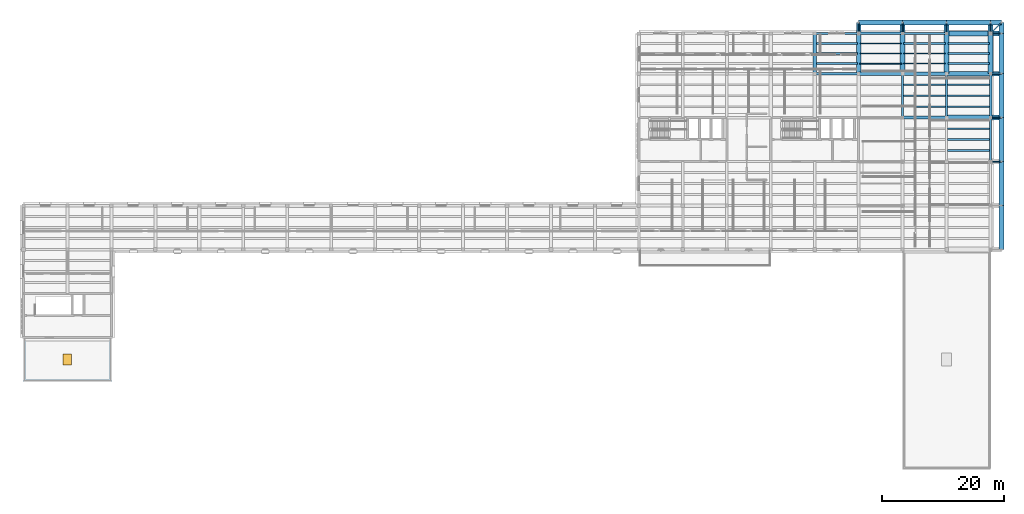
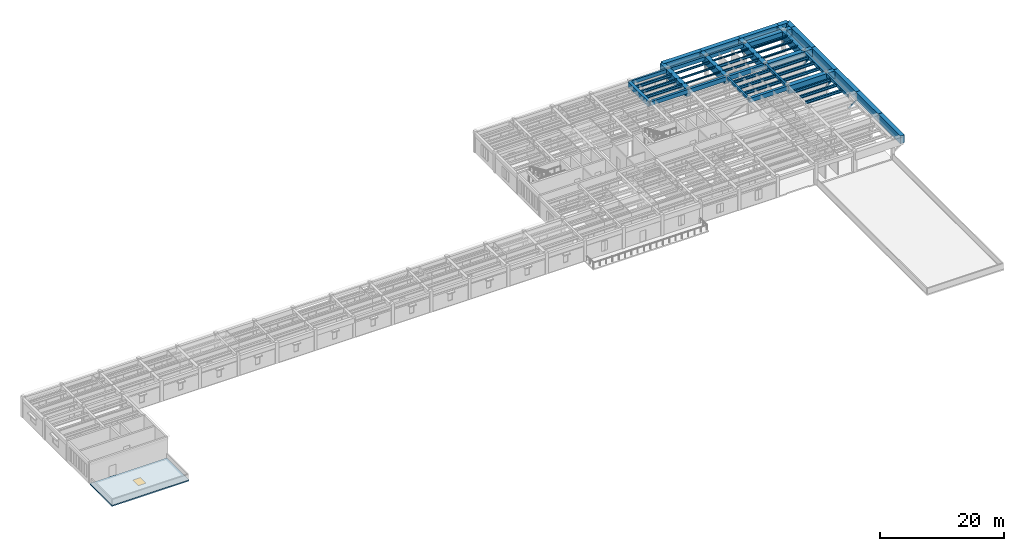
# One storey, part 4 of 22: 50 beams, 9 members, 1 slab, 1 window, 1 opening.
"""IFC4 building model written with IfcOpenShell, lengths in metres."""

from ifc_helpers import new_model, si_unit, direction, frame, origin, origin_2d, place, context, subcontext, project, spatial, polyline, rectangle, hollow_rectangle, i_section, outline, extrude, material, layer, layer_set, material_profile, profile_set, type_object, element, fill, save


model = new_model("IFC4")

# Units and contexts
model_context = context("Model", 3, precision=1e-05, world=origin(), true_north=direction((0.0, 1.0)))
body_context = subcontext(model_context, "Body", "Model", "MODEL_VIEW")
ifc_project = project(units=[si_unit("LENGTHUNIT", "METRE"), si_unit("AREAUNIT", "SQUARE_METRE"), si_unit("VOLUMEUNIT", "CUBIC_METRE"), si_unit("PLANEANGLEUNIT", "RADIAN"), si_unit("MASSUNIT", "GRAM", prefix="KILO")], contexts=[model_context])

# Site, building, storey
site_placement = place(None, origin())
site = spatial("IfcSite", under=ifc_project, at=site_placement, CompositionType="ELEMENT")
building_placement = place(site_placement, origin())
building = spatial("IfcBuilding", under=site, at=building_placement, Name="Mithqara Police Headquarters", CompositionType="ELEMENT")
storey_placement = place(building_placement, frame((0.0, 0.0, 22.199951171875)))
storey = spatial("IfcBuildingStorey", under=building, at=storey_placement, Name="L05", CompositionType="ELEMENT", Elevation=22.199951171875)

# Beams
ifc_material_1 = material(Name="Steel S355JR", Category="steel")
ifc_material_profile_1 = material_profile(ifc_material_1, i_section(OverallWidth=0.300048828125, OverallDepth=0.300048828125, WebThickness=0.010986328125, FlangeThickness=0.01904296875, FilletRadius=0.027099609375, at=origin_2d()), Name="HEB 300")
ifc_profile_set_1 = profile_set([ifc_material_profile_1], Name="Steel S355JR")
beam_type_1 = type_object("IfcBeamType", Name="BEAM HEB300", PredefinedType="BEAM", material=ifc_profile_set_1)
beam_1_placement = place(storey_placement, frame((159.199951171875, 112.35009765625, 3.77001953125), z_axis=(1.0, 0.0, 0.0), x_axis=(0.0, 1.0, 0.0)))
element("IfcBeam", 1, at=beam_1_placement, inside=storey, type_object=beam_type_1, Name="L05 Composite Steel Joist 23-24/R.3", PredefinedType="BEAM", context=body_context, shape_type="SweptSolid", body=[
    extrude(i_section(OverallWidth=0.300048828125, OverallDepth=0.300048828125, WebThickness=0.010986328125, FlangeThickness=0.01904296875, FilletRadius=0.027099609375, at=origin_2d()), origin(), (0.0, 0.0, 1.0), 6.800048828125),
])
ifc_material_profile_2 = material_profile(ifc_material_1, i_section(OverallWidth=0.300048828125, OverallDepth=0.550048828125, WebThickness=0.014892578125, FlangeThickness=0.029052734375, FilletRadius=0.027099609375, at=origin_2d()), Name="HEB 550")
ifc_profile_set_2 = profile_set([ifc_material_profile_2], Name="Steel S355JR")
beam_type_2 = type_object("IfcBeamType", Name="BEAM HEB550", PredefinedType="BEAM", material=ifc_profile_set_2)
for number, where, z_axis, x_axis, name in (
    (2, (137.675048828125, 109.050048828125, 3.64501953125), (1.0, 0.0, 0.0), (0.0, 1.0, 0.0), "L05 Composite Steel Joist 20-21/R.1"),
    (3, (137.675048828125, 110.699951171875, 3.64501953125), (1.0, 0.0, 0.0), (0.0, 1.0, 0.0), "L05 Composite Steel Joist 20-21/R.2"),
    (4, (137.675048828125, 112.35009765625, 3.64501953125), (1.0, 0.0, 0.0), (0.0, 1.0, 0.0), "L05 Composite Steel Joist 20-21/R.3"),
):
    element("IfcBeam", number, at=place(storey_placement, frame(where, z_axis=z_axis, x_axis=x_axis)), inside=storey, type_object=beam_type_2, Name=name, PredefinedType="BEAM", context=body_context, shape_type="SweptSolid", body=[
        extrude(i_section(OverallWidth=0.300048828125, OverallDepth=0.550048828125, WebThickness=0.014892578125, FlangeThickness=0.029052734375, FilletRadius=0.027099609375, at=origin_2d()), origin(), (0.0, 0.0, 1.0), 6.75),
    ])
for number, where, z_axis, x_axis, name in (
    (5, (151.97509765625, 102.0, 3.64501953125), (1.0, 0.0, 0.0), (0.0, 1.0, 0.0), "L05 Composite Steel Joist 22-23/Q.1"),
    (6, (151.97509765625, 103.800048828125, 3.64501953125), (1.0, 0.0, 0.0), (0.0, 1.0, 0.0), "L05 Composite Steel Joist 22-23/Q.2"),
    (7, (151.97509765625, 105.60009765625, 3.64501953125), (1.0, 0.0, 0.0), (0.0, 1.0, 0.0), "L05 Composite Steel Joist 22-23/Q.3"),
    (8, (159.175048828125, 94.800048828125, 3.64501953125), (1.0, 0.0, 0.0), (0.0, 1.0, 0.0), "L05 Composite Steel Joist 23-24/P.1"),
    (9, (159.175048828125, 96.60009765625, 3.64501953125), (1.0, 0.0, 0.0), (0.0, 1.0, 0.0), "L05 Composite Steel Joist 23-24/P.2"),
    (10, (159.175048828125, 98.39990234375, 3.64501953125), (1.0, 0.0, 0.0), (0.0, 1.0, 0.0), "L05 Composite Steel Joist 23-24/P.3"),
):
    element("IfcBeam", number, at=place(storey_placement, frame(where, z_axis=z_axis, x_axis=x_axis)), inside=storey, type_object=beam_type_2, Name=name, PredefinedType="BEAM", context=body_context, shape_type="SweptSolid", body=[
        extrude(i_section(OverallWidth=0.300048828125, OverallDepth=0.550048828125, WebThickness=0.014892578125, FlangeThickness=0.029052734375, FilletRadius=0.027099609375, at=origin_2d()), origin(), (0.0, 0.0, 1.0), 6.849853515625),
    ])
for number, where, z_axis, x_axis, name in (
    (11, (159.175048828125, 102.0, 3.64501953125), (1.0, 0.0, 0.0), (0.0, 1.0, 0.0), "L05 Composite Steel Joist 23-24/Q.1"),
    (12, (159.175048828125, 103.800048828125, 3.64501953125), (1.0, 0.0, 0.0), (0.0, 1.0, 0.0), "L05 Composite Steel Joist 23-24/Q.2"),
    (13, (159.175048828125, 105.60009765625, 3.64501953125), (1.0, 0.0, 0.0), (0.0, 1.0, 0.0), "L05 Composite Steel Joist 23-24/Q.3"),
):
    element("IfcBeam", number, at=place(storey_placement, frame(where, z_axis=z_axis, x_axis=x_axis)), inside=storey, type_object=beam_type_2, Name=name, PredefinedType="BEAM", context=body_context, shape_type="SweptSolid", body=[
        extrude(i_section(OverallWidth=0.300048828125, OverallDepth=0.550048828125, WebThickness=0.014892578125, FlangeThickness=0.029052734375, FilletRadius=0.027099609375, at=origin_2d()), origin(), (0.0, 0.0, 1.0), 6.824951171875),
    ])
ifc_material_2 = material(Name="Concrete C40/50", Category="concrete")
ifc_material_profile_3 = material_profile(ifc_material_2, rectangle(XDim=0.35009765625, YDim=0.550048828125, at=origin_2d()), Name="RC 350x550")
ifc_profile_set_3 = profile_set([ifc_material_profile_3], Name="Concrete C40/50")
beam_type_3 = type_object("IfcBeamType", Name="BEAM RC350X550", PredefinedType="BEAM", material=ifc_profile_set_3)
beam_2_placement = place(storey_placement, frame((151.800048828125, 100.199951171875, 3.64501953125), z_axis=(0.0, 1.0, 0.0), x_axis=(-1.0, 0.0, 0.0)))
element("IfcBeam", 14, at=beam_2_placement, inside=storey, type_object=beam_type_3, Name="L05 Girder 22/Q-R", PredefinedType="BEAM", context=body_context, shape_type="SweptSolid", body=[
    extrude(rectangle(XDim=0.35009765625, YDim=0.550048828125, at=origin_2d()), origin(), (0.0, 0.0, 1.0), 7.199951171875),
])
ifc_material_profile_4 = material_profile(ifc_material_2, rectangle(XDim=0.35009765625, YDim=0.60009765625, at=origin_2d()), Name="RC 350x600")
ifc_profile_set_4 = profile_set([ifc_material_profile_4], Name="Concrete C40/50")
beam_type_4 = type_object("IfcBeamType", Name="BEAM RC350X600", PredefinedType="BEAM", material=ifc_profile_set_4)
for number, where, z_axis, x_axis, name in (
    (15, (159.0, 100.199951171875, 3.6201171875), (0.0, 1.0, 0.0), (-1.0, 0.0, 0.0), "L05 Girder 23/Q-R"),
    (16, (166.199951171875, 93.0, 3.6201171875), (0.0, 1.0, 0.0), (-1.0, 0.0, 0.0), "L05 Girder 24/P-Q"),
):
    element("IfcBeam", number, at=place(storey_placement, frame(where, z_axis=z_axis, x_axis=x_axis)), inside=storey, type_object=beam_type_4, Name=name, PredefinedType="BEAM", context=body_context, shape_type="SweptSolid", body=[
        extrude(rectangle(XDim=0.35009765625, YDim=0.60009765625, at=origin_2d()), origin(), (0.0, 0.0, 1.0), 7.199951171875),
    ])
ifc_material_profile_5 = material_profile(ifc_material_2, rectangle(XDim=0.39990234375, YDim=0.64990234375, at=origin_2d()), Name="RC 400x650")
ifc_profile_set_5 = profile_set([ifc_material_profile_5], Name="Concrete C40/50")
beam_type_5 = type_object("IfcBeamType", Name="BEAM RC400X650", PredefinedType="BEAM", material=ifc_profile_set_5)
beam_3_placement = place(storey_placement, frame((166.199951171875, 100.199951171875, 3.594970703125), z_axis=(0.0, 1.0, 0.0), x_axis=(-1.0, 0.0, 0.0)))
element("IfcBeam", 17, at=beam_3_placement, inside=storey, type_object=beam_type_5, Name="L05 Girder 24/Q-R", PredefinedType="BEAM", context=body_context, shape_type="SweptSolid", body=[
    extrude(rectangle(XDim=0.39990234375, YDim=0.64990234375, at=origin_2d()), origin(), (0.0, 0.0, 1.0), 7.199951171875),
])
ifc_material_profile_6 = material_profile(ifc_material_2, rectangle(XDim=0.449951171875, YDim=0.800048828125, at=origin_2d()), Name="RC 450x800")
ifc_profile_set_6 = profile_set([ifc_material_profile_6], Name="Concrete C40/50")
beam_type_6 = type_object("IfcBeamType", Name="BEAM RC450X800", PredefinedType="BEAM", material=ifc_profile_set_6)
beam_4_placement = place(storey_placement, frame((137.39990234375, 107.39990234375, 3.52001953125), z_axis=(1.0, 0.0, 0.0), x_axis=(0.0, 1.0, 0.0)))
element("IfcBeam", 18, at=beam_4_placement, inside=storey, type_object=beam_type_6, Name="L05 Girder 20-21/R", PredefinedType="BEAM", context=body_context, shape_type="SweptSolid", body=[
    extrude(rectangle(XDim=0.449951171875, YDim=0.800048828125, at=origin_2d()), origin(), (0.0, 0.0, 1.0), 7.2001953125),
])
ifc_material_profile_7 = material_profile(ifc_material_2, rectangle(XDim=0.5, YDim=0.85009765625, at=origin_2d()), Name="RC 500x850")
ifc_profile_set_7 = profile_set([ifc_material_profile_7], Name="Concrete C40/50")
beam_type_7 = type_object("IfcBeamType", Name="BEAM RC500X850", PredefinedType="BEAM", material=ifc_profile_set_7)
for number, where, z_axis, x_axis, name in (
    (19, (144.60009765625, 107.39990234375, 3.4951171875), (1.0, 0.0, 0.0), (0.0, 1.0, 0.0), "L05 Girder 21-22/R"),
    (20, (151.800048828125, 100.199951171875, 3.4951171875), (1.0, 0.0, 0.0), (0.0, 1.0, 0.0), "L05 Girder 22-23/Q"),
):
    element("IfcBeam", number, at=place(storey_placement, frame(where, z_axis=z_axis, x_axis=x_axis)), inside=storey, type_object=beam_type_7, Name=name, PredefinedType="BEAM", context=body_context, shape_type="SweptSolid", body=[
        extrude(rectangle(XDim=0.5, YDim=0.85009765625, at=origin_2d()), origin(), (0.0, 0.0, 1.0), 7.199951171875),
    ])
ifc_material_3 = material(Name="Concrete C50/60", Category="concrete")
ifc_material_profile_8 = material_profile(ifc_material_3, rectangle(XDim=0.5, YDim=0.89990234375, at=origin_2d()), Name="RC 500x900")
ifc_profile_set_8 = profile_set([ifc_material_profile_8], Name="Concrete C50/60")
beam_type_8 = type_object("IfcBeamType", Name="BEAM RC500X900", PredefinedType="BEAM", material=ifc_profile_set_8)
beam_5_placement = place(storey_placement, frame((151.800048828125, 107.39990234375, 3.469970703125), z_axis=(1.0, 0.0, 0.0), x_axis=(0.0, 1.0, 0.0)))
element("IfcBeam", 21, at=beam_5_placement, inside=storey, type_object=beam_type_8, Name="L05 Girder 22-23/R", PredefinedType="BEAM", context=body_context, shape_type="SweptSolid", body=[
    extrude(rectangle(XDim=0.5, YDim=0.89990234375, at=origin_2d()), origin(), (0.0, 0.0, 1.0), 7.199951171875),
])
ifc_material_profile_9 = material_profile(ifc_material_3, rectangle(XDim=0.550048828125, YDim=1.0, at=origin_2d()), Name="RC 550x1000")
ifc_profile_set_9 = profile_set([ifc_material_profile_9], Name="Concrete C50/60")
beam_type_9 = type_object("IfcBeamType", Name="BEAM RC550X1000", PredefinedType="BEAM", material=ifc_profile_set_9)
beam_6_placement = place(storey_placement, frame((137.39990234375, 107.39990234375, 3.420166015625), z_axis=(0.0, 1.0, 0.0), x_axis=(-1.0, 0.0, 0.0)))
element("IfcBeam", 22, at=beam_6_placement, inside=storey, type_object=beam_type_9, Name="L05 Girder 20/R-S", PredefinedType="BEAM", context=body_context, shape_type="SweptSolid", body=[
    extrude(rectangle(XDim=0.550048828125, YDim=1.0, at=origin_2d()), origin(), (0.0, 0.0, 1.0), 6.60009765625),
])

# Members
ifc_material_profile_10 = material_profile(ifc_material_1, hollow_rectangle(XDim=0.199951171875, YDim=0.300048828125, WallThickness=0.012451171875, InnerFilletRadius=0.012451171875, OuterFilletRadius=0.02490234375, at=origin_2d()), Name="RHS 300x200x12.5")
ifc_profile_set_10 = profile_set([ifc_material_profile_10], Name="Steel S355JR")
member_type = type_object("IfcMemberType", Name="BRACE RHS300", PredefinedType="BRACE", material=ifc_profile_set_10)
for number, where, z_axis, x_axis, name in (
    (23, (166.199951171875, 93.0, 1.199951171875), (0.817096837547, 0.0, 0.576500440651), (0.0, 1.0, 0.0), "L05 Command Cube East Raking Corbel Strut Y-P"),
    (24, (166.199951171875, 100.199951171875, 1.199951171875), (0.817096837547, 0.0, 0.576500440651), (0.0, 1.0, 0.0), "L05 Command Cube East Raking Corbel Strut Y-Q"),
    (25, (166.199951171875, 107.39990234375, 1.199951171875), (0.817096837547, 0.0, 0.576500440651), (0.0, 1.0, 0.0), "L05 Command Cube East Raking Corbel Strut Y-R"),
    (26, (166.199951171875, 114.0, 1.199951171875), (0.817096837547, 0.0, 0.576500440651), (0.0, 1.0, 0.0), "L05 Command Cube East Raking Corbel Strut Y-S"),
    (27, (144.60009765625, 114.0, 1.199951171875), (0.0, 0.817096837547, 0.576500440651), (-1.0, 0.0, 0.0), "L05 Command Cube North Raking Corbel Strut X-21"),
    (28, (151.800048828125, 114.0, 1.199951171875), (0.0, 0.817096837547, 0.576500440651), (-1.0, 0.0, 0.0), "L05 Command Cube North Raking Corbel Strut X-22"),
    (29, (159.0, 114.0, 1.199951171875), (0.0, 0.817096837547, 0.576500440651), (-1.0, 0.0, 0.0), "L05 Command Cube North Raking Corbel Strut X-23"),
    (30, (166.199951171875, 114.0, 1.199951171875), (0.0, 0.817096837547, 0.576500440651), (-1.0, 0.0, 0.0), "L05 Command Cube North Raking Corbel Strut X-24"),
):
    element("IfcMember", number, at=place(storey_placement, frame(where, z_axis=z_axis, x_axis=x_axis)), inside=storey, type_object=member_type, Name=name, PredefinedType="BRACE", context=body_context, shape_type="SweptSolid", body=[
        extrude(hollow_rectangle(XDim=0.199951171875, YDim=0.300048828125, WallThickness=0.012451171875, InnerFilletRadius=0.012451171875, OuterFilletRadius=0.02490234375, at=origin_2d()), origin(), (0.0, 0.0, 1.0), 2.202880859375),
    ])
member_placement = place(storey_placement, frame((166.199951171875, 114.0, 1.199951171875), z_axis=(0.632734383076, 0.632734383076, 0.446424014751), x_axis=(-0.707106781187, 0.707106781187, 0.0)))
element("IfcMember", 31, at=member_placement, inside=storey, type_object=member_type, Name="L05 Command Cube Corner Raking Corbel Strut", PredefinedType="BRACE", context=body_context, shape_type="SweptSolid", body=[
    extrude(hollow_rectangle(XDim=0.199951171875, YDim=0.300048828125, WallThickness=0.012451171875, InnerFilletRadius=0.012451171875, OuterFilletRadius=0.02490234375, at=origin_2d()), origin(), (0.0, 0.0, 1.0), 2.844970703125),
])

# Beams
ifc_material_profile_11 = material_profile(ifc_material_1, i_section(OverallWidth=0.260009765625, OverallDepth=0.25, WebThickness=0.007568359375, FlangeThickness=0.012451171875, FilletRadius=0.02392578125, at=origin_2d()), Name="HEA 260")
ifc_profile_set_11 = profile_set([ifc_material_profile_11], Name="Steel S355JR")
beam_type_10 = type_object("IfcBeamType", Name="JOIST HEA260", PredefinedType="JOIST", material=ifc_profile_set_11)
beam_7_placement = place(storey_placement, frame((151.97509765625, 112.35009765625, 3.795166015625), z_axis=(1.0, 0.0, 0.0), x_axis=(0.0, 1.0, 0.0)))
element("IfcBeam", 32, at=beam_7_placement, inside=storey, type_object=beam_type_10, Name="L05 Composite Steel Joist 22-23/R.3", PredefinedType="JOIST", context=body_context, shape_type="SweptSolid", body=[
    extrude(i_section(OverallWidth=0.260009765625, OverallDepth=0.25, WebThickness=0.007568359375, FlangeThickness=0.012451171875, FilletRadius=0.02392578125, at=origin_2d()), origin(), (0.0, 0.0, 1.0), 6.824951171875),
])
ifc_material_profile_12 = material_profile(ifc_material_1, i_section(OverallWidth=0.300048828125, OverallDepth=0.2900390625, WebThickness=0.008544921875, FlangeThickness=0.013916015625, FilletRadius=0.027099609375, at=origin_2d()), Name="HEA 300")
ifc_profile_set_12 = profile_set([ifc_material_profile_12], Name="Steel S355JR")
beam_type_11 = type_object("IfcBeamType", Name="JOIST HEA300", PredefinedType="JOIST", material=ifc_profile_set_12)
beam_8_placement = place(storey_placement, frame((159.199951171875, 109.050048828125, 3.775146484375), z_axis=(1.0, 0.0, 0.0), x_axis=(0.0, 1.0, 0.0)))
element("IfcBeam", 33, at=beam_8_placement, inside=storey, type_object=beam_type_11, Name="L05 Composite Steel Joist 23-24/R.1", PredefinedType="JOIST", context=body_context, shape_type="SweptSolid", body=[
    extrude(i_section(OverallWidth=0.300048828125, OverallDepth=0.2900390625, WebThickness=0.008544921875, FlangeThickness=0.013916015625, FilletRadius=0.027099609375, at=origin_2d()), origin(), (0.0, 0.0, 1.0), 6.800048828125),
])
ifc_material_profile_13 = material_profile(ifc_material_1, i_section(OverallWidth=0.300048828125, OverallDepth=0.330078125, WebThickness=0.009521484375, FlangeThickness=0.0166015625, FilletRadius=0.027099609375, at=origin_2d()), Name="HEA 340")
ifc_profile_set_13 = profile_set([ifc_material_profile_13], Name="Steel S355JR")
beam_type_12 = type_object("IfcBeamType", Name="JOIST HEA340", PredefinedType="JOIST", material=ifc_profile_set_13)
beam_9_placement = place(storey_placement, frame((159.199951171875, 110.699951171875, 3.755126953125), z_axis=(1.0, 0.0, 0.0), x_axis=(0.0, 1.0, 0.0)))
element("IfcBeam", 34, at=beam_9_placement, inside=storey, type_object=beam_type_12, Name="L05 Composite Steel Joist 23-24/R.2", PredefinedType="JOIST", context=body_context, shape_type="SweptSolid", body=[
    extrude(i_section(OverallWidth=0.300048828125, OverallDepth=0.330078125, WebThickness=0.009521484375, FlangeThickness=0.0166015625, FilletRadius=0.027099609375, at=origin_2d()), origin(), (0.0, 0.0, 1.0), 6.800048828125),
])
ifc_material_profile_14 = material_profile(ifc_material_1, i_section(OverallWidth=0.14990234375, OverallDepth=0.300048828125, WebThickness=0.007080078125, FlangeThickness=0.0107421875, FilletRadius=0.014892578125, at=origin_2d()), Name="IPE 300")
ifc_profile_set_14 = profile_set([ifc_material_profile_14], Name="Steel S355JR")
beam_type_13 = type_object("IfcBeamType", Name="JOIST IPE300", PredefinedType="JOIST", material=ifc_profile_set_14)
beam_10_placement = place(storey_placement, frame((144.77490234375, 109.050048828125, 3.77001953125), z_axis=(1.0, 0.0, 0.0), x_axis=(0.0, 1.0, 0.0)))
element("IfcBeam", 35, at=beam_10_placement, inside=storey, type_object=beam_type_13, Name="L05 Composite Steel Joist 21-22/R.1", PredefinedType="JOIST", context=body_context, shape_type="SweptSolid", body=[
    extrude(i_section(OverallWidth=0.14990234375, OverallDepth=0.300048828125, WebThickness=0.007080078125, FlangeThickness=0.0107421875, FilletRadius=0.014892578125, at=origin_2d()), origin(), (0.0, 0.0, 1.0), 6.85009765625),
])
ifc_material_profile_15 = material_profile(ifc_material_1, i_section(OverallWidth=0.169921875, OverallDepth=0.360107421875, WebThickness=0.008056640625, FlangeThickness=0.0126953125, FilletRadius=0.01806640625, at=origin_2d()), Name="IPE 360")
ifc_profile_set_15 = profile_set([ifc_material_profile_15], Name="Steel S355JR")
beam_type_14 = type_object("IfcBeamType", Name="JOIST IPE360", PredefinedType="JOIST", material=ifc_profile_set_15)
beam_11_placement = place(storey_placement, frame((144.77490234375, 110.699951171875, 3.739990234375), z_axis=(1.0, 0.0, 0.0), x_axis=(0.0, 1.0, 0.0)))
element("IfcBeam", 36, at=beam_11_placement, inside=storey, type_object=beam_type_14, Name="L05 Composite Steel Joist 21-22/R.2", PredefinedType="JOIST", context=body_context, shape_type="SweptSolid", body=[
    extrude(i_section(OverallWidth=0.169921875, OverallDepth=0.360107421875, WebThickness=0.008056640625, FlangeThickness=0.0126953125, FilletRadius=0.01806640625, at=origin_2d()), origin(), (0.0, 0.0, 1.0), 6.85009765625),
])
ifc_material_profile_16 = material_profile(ifc_material_1, i_section(OverallWidth=0.179931640625, OverallDepth=0.39990234375, WebThickness=0.008544921875, FlangeThickness=0.013427734375, FilletRadius=0.02099609375, at=origin_2d()), Name="IPE 400")
ifc_profile_set_16 = profile_set([ifc_material_profile_16], Name="Steel S355JR")
beam_type_15 = type_object("IfcBeamType", Name="JOIST IPE400", PredefinedType="JOIST", material=ifc_profile_set_16)
beam_12_placement = place(storey_placement, frame((144.77490234375, 112.35009765625, 3.719970703125), z_axis=(1.0, 0.0, 0.0), x_axis=(0.0, 1.0, 0.0)))
element("IfcBeam", 37, at=beam_12_placement, inside=storey, type_object=beam_type_15, Name="L05 Composite Steel Joist 21-22/R.3", PredefinedType="JOIST", context=body_context, shape_type="SweptSolid", body=[
    extrude(i_section(OverallWidth=0.179931640625, OverallDepth=0.39990234375, WebThickness=0.008544921875, FlangeThickness=0.013427734375, FilletRadius=0.02099609375, at=origin_2d()), origin(), (0.0, 0.0, 1.0), 6.85009765625),
])
ifc_material_profile_17 = material_profile(ifc_material_1, i_section(OverallWidth=0.18994140625, OverallDepth=0.449951171875, WebThickness=0.009521484375, FlangeThickness=0.0146484375, FilletRadius=0.02099609375, at=origin_2d()), Name="IPE 450")
ifc_profile_set_17 = profile_set([ifc_material_profile_17], Name="Steel S355JR")
beam_type_16 = type_object("IfcBeamType", Name="JOIST IPE450", PredefinedType="JOIST", material=ifc_profile_set_17)
beam_13_placement = place(storey_placement, frame((151.97509765625, 109.050048828125, 3.695068359375), z_axis=(1.0, 0.0, 0.0), x_axis=(0.0, 1.0, 0.0)))
element("IfcBeam", 38, at=beam_13_placement, inside=storey, type_object=beam_type_16, Name="L05 Composite Steel Joist 22-23/R.1", PredefinedType="JOIST", context=body_context, shape_type="SweptSolid", body=[
    extrude(i_section(OverallWidth=0.18994140625, OverallDepth=0.449951171875, WebThickness=0.009521484375, FlangeThickness=0.0146484375, FilletRadius=0.02099609375, at=origin_2d()), origin(), (0.0, 0.0, 1.0), 6.824951171875),
])
ifc_material_profile_18 = material_profile(ifc_material_1, i_section(OverallWidth=0.2099609375, OverallDepth=0.550048828125, WebThickness=0.010986328125, FlangeThickness=0.01708984375, FilletRadius=0.02392578125, at=origin_2d()), Name="IPE 550")
ifc_profile_set_18 = profile_set([ifc_material_profile_18], Name="Steel S355JR")
beam_type_17 = type_object("IfcBeamType", Name="JOIST IPE550", PredefinedType="JOIST", material=ifc_profile_set_18)
beam_14_placement = place(storey_placement, frame((151.97509765625, 110.699951171875, 3.64501953125), z_axis=(1.0, 0.0, 0.0), x_axis=(0.0, 1.0, 0.0)))
element("IfcBeam", 39, at=beam_14_placement, inside=storey, type_object=beam_type_17, Name="L05 Composite Steel Joist 22-23/R.2", PredefinedType="JOIST", context=body_context, shape_type="SweptSolid", body=[
    extrude(i_section(OverallWidth=0.2099609375, OverallDepth=0.550048828125, WebThickness=0.010986328125, FlangeThickness=0.01708984375, FilletRadius=0.02392578125, at=origin_2d()), origin(), (0.0, 0.0, 1.0), 6.824951171875),
])
ifc_material_profile_19 = material_profile(ifc_material_2, rectangle(XDim=0.35009765625, YDim=0.699951171875, at=origin_2d()), Name="SPB 350x700")
ifc_profile_set_19 = profile_set([ifc_material_profile_19], Name="Concrete C40/50")
beam_type_18 = type_object("IfcBeamType", Name="SPANDREL 350X700", PredefinedType="SPANDREL", material=ifc_profile_set_19)
beam_15_placement = place(storey_placement, frame((137.39990234375, 114.0, 3.570068359375), z_axis=(1.0, 0.0, 0.0), x_axis=(0.0, 1.0, 0.0)))
element("IfcBeam", 40, at=beam_15_placement, inside=storey, type_object=beam_type_18, Name="L05 Girder 20-21/S", PredefinedType="SPANDREL", context=body_context, shape_type="SweptSolid", body=[
    extrude(rectangle(XDim=0.35009765625, YDim=0.699951171875, at=origin_2d()), origin(), (0.0, 0.0, 1.0), 7.2001953125),
])
beam_16_placement = place(storey_placement, frame((151.800048828125, 114.0, 3.570068359375), z_axis=(1.0, 0.0, 0.0), x_axis=(0.0, 1.0, 0.0)))
element("IfcBeam", 41, at=beam_16_placement, inside=storey, type_object=beam_type_18, Name="L05 Girder 22-23/S", PredefinedType="SPANDREL", context=body_context, shape_type="SweptSolid", body=[
    extrude(rectangle(XDim=0.35009765625, YDim=0.699951171875, at=origin_2d()), origin(), (0.0, 0.0, 1.0), 7.199951171875),
])
ifc_material_profile_20 = material_profile(ifc_material_2, rectangle(XDim=0.39990234375, YDim=0.75, at=origin_2d()), Name="SPB 400x750")
ifc_profile_set_20 = profile_set([ifc_material_profile_20], Name="Concrete C40/50")
beam_type_19 = type_object("IfcBeamType", Name="SPANDREL 400X750", PredefinedType="SPANDREL", material=ifc_profile_set_20)
beam_17_placement = place(storey_placement, frame((144.60009765625, 114.0, 3.545166015625), z_axis=(1.0, 0.0, 0.0), x_axis=(0.0, 1.0, 0.0)))
element("IfcBeam", 42, at=beam_17_placement, inside=storey, type_object=beam_type_19, Name="L05 Girder 21-22/S", PredefinedType="SPANDREL", context=body_context, shape_type="SweptSolid", body=[
    extrude(rectangle(XDim=0.39990234375, YDim=0.75, at=origin_2d()), origin(), (0.0, 0.0, 1.0), 7.199951171875),
])
ifc_material_profile_21 = material_profile(ifc_material_3, rectangle(XDim=0.800048828125, YDim=1.550048828125, at=origin_2d()), Name="RC 800x1550")
ifc_profile_set_21 = profile_set([ifc_material_profile_21], Name="Concrete C50/60")
beam_type_20 = type_object("IfcBeamType", Name="TRANSFER RC800X1550", PredefinedType="BEAM", material=ifc_profile_set_21)
for number, where, z_axis, x_axis, name in (
    (43, (159.0, 100.199951171875, 3.14501953125), (1.0, 0.0, 0.0), (0.0, 1.0, 0.0), "L05 Command Cube Cantilever Transfer Girder Y-Q"),
    (44, (159.0, 107.39990234375, 3.14501953125), (1.0, 0.0, 0.0), (0.0, 1.0, 0.0), "L05 Command Cube Cantilever Transfer Girder Y-R"),
    (45, (159.0, 114.0, 3.14501953125), (1.0, 0.0, 0.0), (0.0, 1.0, 0.0), "L05 Command Cube Cantilever Transfer Girder Y-S"),
):
    element("IfcBeam", number, at=place(storey_placement, frame(where, z_axis=z_axis, x_axis=x_axis)), inside=storey, type_object=beam_type_20, Name=name, PredefinedType="BEAM", context=body_context, shape_type="SweptSolid", body=[
        extrude(rectangle(XDim=0.800048828125, YDim=1.550048828125, at=origin_2d()), origin(), (0.0, 0.0, 1.0), 9.0),
    ])
for number, where, z_axis, x_axis, name in (
    (46, (144.60009765625, 107.39990234375, 3.14501953125), (0.0, 1.0, 0.0), (-1.0, 0.0, 0.0), "L05 Command Cube Cantilever Transfer Girder X-21"),
    (47, (151.800048828125, 107.39990234375, 3.14501953125), (0.0, 1.0, 0.0), (-1.0, 0.0, 0.0), "L05 Command Cube Cantilever Transfer Girder X-22"),
    (48, (159.0, 107.39990234375, 3.14501953125), (0.0, 1.0, 0.0), (-1.0, 0.0, 0.0), "L05 Command Cube Cantilever Transfer Girder X-23"),
    (49, (166.199951171875, 107.39990234375, 3.14501953125), (0.0, 1.0, 0.0), (-1.0, 0.0, 0.0), "L05 Command Cube Cantilever Transfer Girder X-24"),
):
    element("IfcBeam", number, at=place(storey_placement, frame(where, z_axis=z_axis, x_axis=x_axis)), inside=storey, type_object=beam_type_20, Name=name, PredefinedType="BEAM", context=body_context, shape_type="SweptSolid", body=[
        extrude(rectangle(XDim=0.800048828125, YDim=1.550048828125, at=origin_2d()), origin(), (0.0, 0.0, 1.0), 8.400146484375),
    ])
for number, where, z_axis, x_axis, name in (
    (50, (168.0, 78.60009765625, 3.14501953125), (0.0, 1.0, 0.0), (-1.0, 0.0, 0.0), "L05 Command Cube East Ring Beam 1"),
    (51, (168.0, 85.800048828125, 3.14501953125), (0.0, 1.0, 0.0), (-1.0, 0.0, 0.0), "L05 Command Cube East Ring Beam 2"),
    (52, (168.0, 93.0, 3.14501953125), (0.0, 1.0, 0.0), (-1.0, 0.0, 0.0), "L05 Command Cube East Ring Beam 3"),
    (53, (168.0, 100.199951171875, 3.14501953125), (0.0, 1.0, 0.0), (-1.0, 0.0, 0.0), "L05 Command Cube East Ring Beam 4"),
):
    element("IfcBeam", number, at=place(storey_placement, frame(where, z_axis=z_axis, x_axis=x_axis)), inside=storey, type_object=beam_type_20, Name=name, PredefinedType="BEAM", context=body_context, shape_type="SweptSolid", body=[
        extrude(rectangle(XDim=0.800048828125, YDim=1.550048828125, at=origin_2d()), origin(), (0.0, 0.0, 1.0), 7.199951171875),
    ])
beam_18_placement = place(storey_placement, frame((168.0, 107.39990234375, 3.14501953125), z_axis=(0.0, 1.0, 0.0), x_axis=(-1.0, 0.0, 0.0)))
element("IfcBeam", 54, at=beam_18_placement, inside=storey, type_object=beam_type_20, Name="L05 Command Cube East Ring Beam 5", PredefinedType="BEAM", context=body_context, shape_type="SweptSolid", body=[
    extrude(rectangle(XDim=0.800048828125, YDim=1.550048828125, at=origin_2d()), origin(), (0.0, 0.0, 1.0), 6.60009765625),
])
beam_19_placement = place(storey_placement, frame((168.0, 114.0, 3.14501953125), z_axis=(0.0, 1.0, 0.0), x_axis=(-1.0, 0.0, 0.0)))
element("IfcBeam", 55, at=beam_19_placement, inside=storey, type_object=beam_type_20, Name="L05 Command Cube East Ring Beam 6", PredefinedType="BEAM", context=body_context, shape_type="SweptSolid", body=[
    extrude(rectangle(XDim=0.800048828125, YDim=1.550048828125, at=origin_2d()), origin(), (0.0, 0.0, 1.0), 1.800048828125),
])
for number, where, z_axis, x_axis, name in (
    (56, (144.60009765625, 115.800048828125, 3.14501953125), (1.0, 0.0, 0.0), (0.0, 1.0, 0.0), "L05 Command Cube North Ring Beam 1"),
    (57, (151.800048828125, 115.800048828125, 3.14501953125), (1.0, 0.0, 0.0), (0.0, 1.0, 0.0), "L05 Command Cube North Ring Beam 2"),
    (58, (159.0, 115.800048828125, 3.14501953125), (1.0, 0.0, 0.0), (0.0, 1.0, 0.0), "L05 Command Cube North Ring Beam 3"),
):
    element("IfcBeam", number, at=place(storey_placement, frame(where, z_axis=z_axis, x_axis=x_axis)), inside=storey, type_object=beam_type_20, Name=name, PredefinedType="BEAM", context=body_context, shape_type="SweptSolid", body=[
        extrude(rectangle(XDim=0.800048828125, YDim=1.550048828125, at=origin_2d()), origin(), (0.0, 0.0, 1.0), 7.199951171875),
    ])
beam_20_placement = place(storey_placement, frame((166.199951171875, 115.800048828125, 3.14501953125), z_axis=(1.0, 0.0, 0.0), x_axis=(0.0, 1.0, 0.0)))
element("IfcBeam", 59, at=beam_20_placement, inside=storey, type_object=beam_type_20, Name="L05 Command Cube North Ring Beam 4", PredefinedType="BEAM", context=body_context, shape_type="SweptSolid", body=[
    extrude(rectangle(XDim=0.800048828125, YDim=1.550048828125, at=origin_2d()), origin(), (0.0, 0.0, 1.0), 1.800048828125),
])

# Slab, opening, window
ifc_layer = layer(ifc_material_2, 0.25, Name="Concrete C40/50")
ifc_layer_set = layer_set([ifc_layer], Name="Concrete C40/50")
slab_type = type_object("IfcSlabType", Name="ROOF SLAB 250", PredefinedType="ROOF", material=ifc_layer_set)
slab_placement = place(storey_placement, frame((0.0, 0.0, -0.25)))
slab = element("IfcSlab", 60, at=slab_placement, inside=storey, type_object=slab_type, Name="L05 Flat Insulated Roof over L04 Wing 1", PredefinedType="ROOF", context=body_context, shape_type="SweptSolid", body=[
    extrude(outline(polyline([(22.199951171875, 57.0), (7.800048828125, 57.0), (7.800048828125, 64.179931640625), (22.199951171875, 64.179931640625), (22.199951171875, 57.0)]), holes=[polyline([(14.300048828125, 59.68994140625), (15.699951171875, 59.68994140625), (15.699951171875, 61.489990234375), (14.300048828125, 61.489990234375), (14.300048828125, 59.68994140625)])]), origin(), (0.0, 0.0, 1.0), 0.25),
])
opening_placement = place(slab_placement, frame((15.0, 60.590087890625, -0.010009765625)))
opening = element("IfcOpeningElement", 61, at=opening_placement, cuts=slab, Name="Opening SK-02", PredefinedType="OPENING", context=body_context, shape_type="SweptSolid", body=[
    extrude(rectangle(XDim=1.39990234375, YDim=1.800048828125, at=origin_2d()), origin(), (0.0, 0.0, 1.0), 0.27001953125),
])
ifc_material_4 = material(Name="Spectrally selective double low-e glass", Category="glass")
window_type = type_object("IfcWindowType", Name="SKYLIGHT 1400X1800", PartitioningType="SINGLE_PANEL", PredefinedType="SKYLIGHT", material=ifc_material_4)
window_placement = place(opening_placement, frame((0.0, 0.0, 0.2099609375)))
window = element("IfcWindow", 62, at=window_placement, inside=storey, type_object=window_type, Name="L05 Roof Daylight Skylight and Access Hatch 10", OverallHeight=1.800048828125, OverallWidth=1.39990234375, PartitioningType="SINGLE_PANEL", PredefinedType="SKYLIGHT", context=body_context, shape_type="SweptSolid", body=[
    extrude(rectangle(XDim=1.39990234375, YDim=1.800048828125, at=origin_2d()), origin(), (0.0, 0.0, 1.0), 0.050048828125),
])
fill(opening, window)

save(model, "model.ifc")
